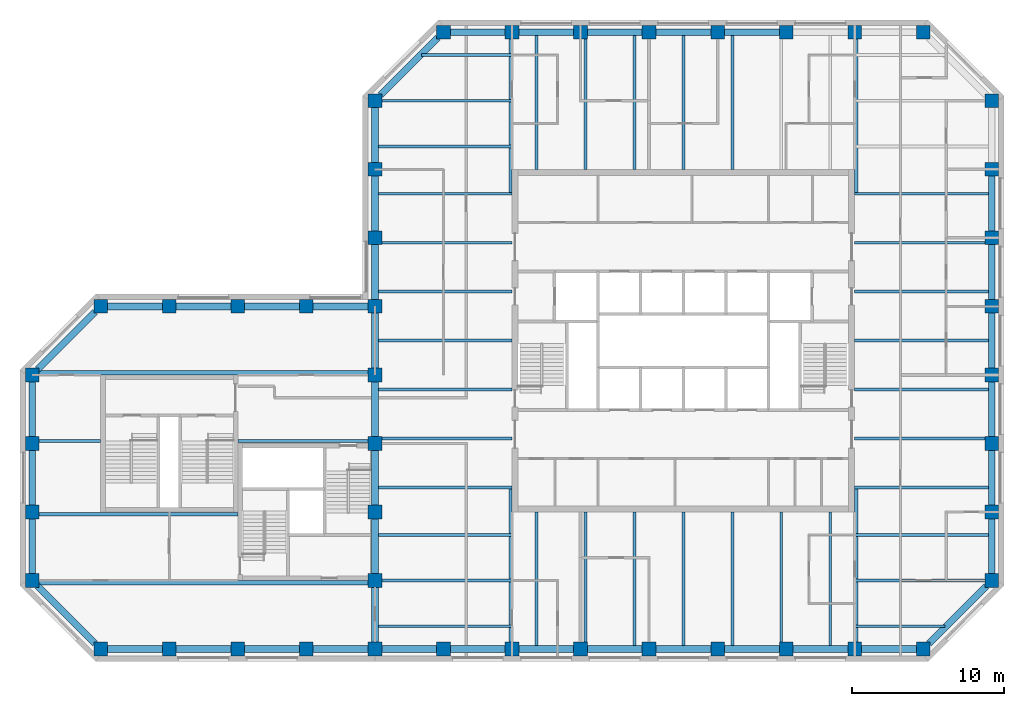
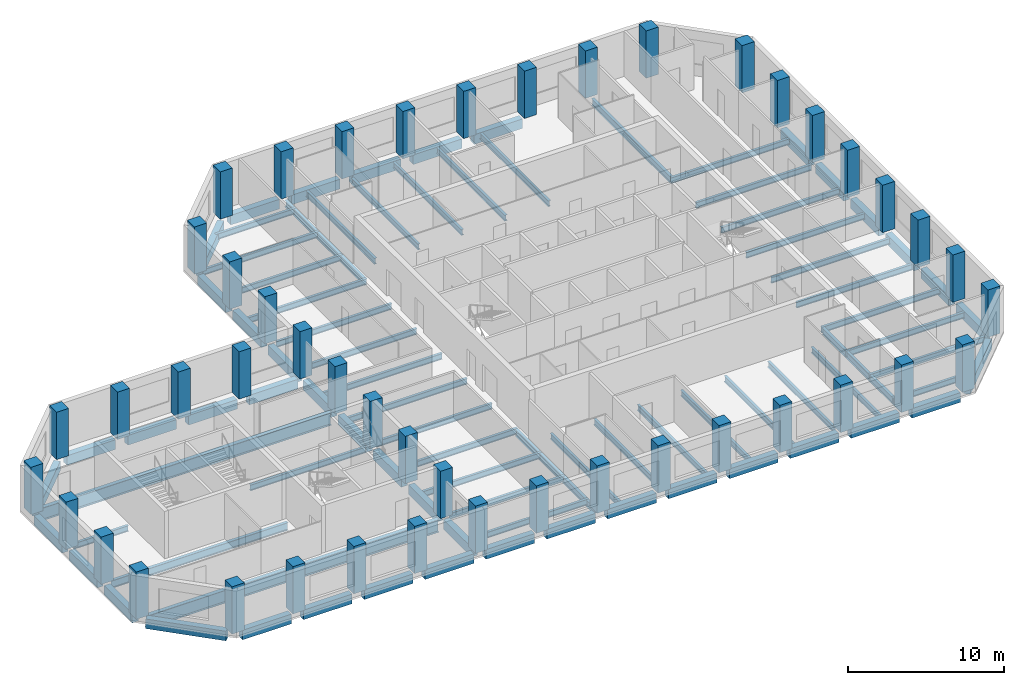
# One storey, part 1 of 9: 86 beams, 45 columns.
"""IFC4 building model written with IfcOpenShell, lengths in metres."""

from ifc_helpers import new_model, si_unit, direction, frame, origin, origin_2d, place, context, subcontext, project, spatial, rectangle, i_section, extrude, material, material_profile, profile_set, type_object, element, save


model = new_model("IFC4")

# Units and contexts
model_context = context("Model", 3, precision=1e-05, world=origin(), true_north=direction((0.0, 1.0)))
body_context = subcontext(model_context, "Body", "Model", "MODEL_VIEW")
ifc_project = project(units=[si_unit("LENGTHUNIT", "METRE"), si_unit("AREAUNIT", "SQUARE_METRE"), si_unit("VOLUMEUNIT", "CUBIC_METRE"), si_unit("PLANEANGLEUNIT", "RADIAN"), si_unit("MASSUNIT", "GRAM", prefix="KILO")], contexts=[model_context])

# Site, building, storey
site_placement = place(None, origin())
site = spatial("IfcSite", under=ifc_project, at=site_placement, CompositionType="ELEMENT")
building_placement = place(site_placement, origin())
building = spatial("IfcBuilding", under=site, at=building_placement, Name="Quoin Convention Tower", CompositionType="ELEMENT")
storey_placement = place(building_placement, frame((0.0, 0.0, 223.0)))
storey = spatial("IfcBuildingStorey", under=building, at=storey_placement, Name="L58", CompositionType="ELEMENT", Elevation=223.0)

# Columns
ifc_material_1 = material(Name="Concrete C50", Category="concrete")
ifc_material_profile_1 = material_profile(ifc_material_1, rectangle(XDim=0.89990234375, YDim=0.89990234375, at=origin_2d()), Name="RC 900x900")
ifc_profile_set_1 = profile_set([ifc_material_profile_1], Name="Concrete C50")
column_type = type_object("IfcColumnType", Name="RC 900x900 C50", PredefinedType="COLUMN", material=ifc_profile_set_1)
for number, where, z_axis, x_axis, name in (
    (1, (18.0, 40.5, 0.0), (0.0, 0.0, 1.0), (1.0, 0.0, 0.0), "col-L58-18000_40500"),
    (2, (22.5, 40.5, 0.0), (0.0, 0.0, 1.0), (1.0, 0.0, 0.0), "col-L58-22500_40500"),
    (3, (27.0, 40.5, 0.0), (0.0, 0.0, 1.0), (1.0, 0.0, 0.0), "col-L58-27000_40500"),
    (4, (31.5, 40.5, 0.0), (0.0, 0.0, 1.0), (1.0, 0.0, 0.0), "col-L58-31500_40500"),
    (5, (36.0, 40.5, 0.0), (0.0, 0.0, 1.0), (1.0, 0.0, 0.0), "col-L58-36000_40500"),
    (6, (40.5, 40.5, 0.0), (0.0, 0.0, 1.0), (1.0, 0.0, 0.0), "col-L58-40500_40500"),
    (7, (45.0, 40.5, 0.0), (0.0, 0.0, 1.0), (1.0, 0.0, 0.0), "col-L58-45000_40500"),
    (8, (49.5, 40.5, 0.0), (0.0, 0.0, 1.0), (1.0, 0.0, 0.0), "col-L58-49500_40500"),
    (9, (54.0, 40.5, 0.0), (0.0, 0.0, 1.0), (1.0, 0.0, 0.0), "col-L58-54000_40500"),
    (10, (58.5, 40.5, 0.0), (0.0, 0.0, 1.0), (1.0, 0.0, 0.0), "col-L58-58500_40500"),
    (11, (63.0, 40.5, 0.0), (0.0, 0.0, 1.0), (1.0, 0.0, 0.0), "col-L58-63000_40500"),
    (12, (67.5, 40.5, 0.0), (0.0, 0.0, 1.0), (1.0, 0.0, 0.0), "col-L58-67500_40500"),
    (13, (72.0, 40.5, 0.0), (0.0, 0.0, 1.0), (1.0, 0.0, 0.0), "col-L58-72000_40500"),
    (14, (13.5, 45.0, 0.0), (0.0, 0.0, 1.0), (1.0, 0.0, 0.0), "col-L58-13500_45000"),
    (15, (36.0, 45.0, 0.0), (0.0, 0.0, 1.0), (1.0, 0.0, 0.0), "web-L58-36000_45000"),
    (16, (76.5, 45.0, 0.0), (0.0, 0.0, 1.0), (1.0, 0.0, 0.0), "col-L58-76500_45000"),
    (17, (13.5, 49.5, 0.0), (0.0, 0.0, 1.0), (1.0, 0.0, 0.0), "col-L58-13500_49500"),
    (18, (36.0, 49.5, 0.0), (0.0, 0.0, 1.0), (1.0, 0.0, 0.0), "web-L58-36000_49500"),
    (19, (76.5, 49.5, 0.0), (0.0, 0.0, 1.0), (1.0, 0.0, 0.0), "col-L58-76500_49500"),
    (20, (13.5, 54.0, 0.0), (0.0, 0.0, 1.0), (1.0, 0.0, 0.0), "col-L58-13500_54000"),
    (21, (36.0, 54.0, 0.0), (0.0, 0.0, 1.0), (1.0, 0.0, 0.0), "web-L58-36000_54000"),
    (22, (76.5, 54.0, 0.0), (0.0, 0.0, 1.0), (1.0, 0.0, 0.0), "col-L58-76500_54000"),
    (23, (13.5, 58.5, 0.0), (0.0, 0.0, 1.0), (1.0, 0.0, 0.0), "col-L58-13500_58500"),
    (24, (36.0, 58.5, 0.0), (0.0, 0.0, 1.0), (1.0, 0.0, 0.0), "web-L58-36000_58500"),
    (25, (76.5, 58.5, 0.0), (0.0, 0.0, 1.0), (1.0, 0.0, 0.0), "col-L58-76500_58500"),
    (26, (18.0, 63.0, 0.0), (0.0, 0.0, 1.0), (1.0, 0.0, 0.0), "col-L58-18000_63000"),
    (27, (22.5, 63.0, 0.0), (0.0, 0.0, 1.0), (1.0, 0.0, 0.0), "col-L58-22500_63000"),
    (28, (27.0, 63.0, 0.0), (0.0, 0.0, 1.0), (1.0, 0.0, 0.0), "col-L58-27000_63000"),
    (29, (31.5, 63.0, 0.0), (0.0, 0.0, 1.0), (1.0, 0.0, 0.0), "col-L58-31500_63000"),
    (30, (36.0, 63.0, 0.0), (0.0, 0.0, 1.0), (1.0, 0.0, 0.0), "col-L58-36000_63000"),
    (31, (76.5, 63.0, 0.0), (0.0, 0.0, 1.0), (1.0, 0.0, 0.0), "col-L58-76500_63000"),
    (32, (36.0, 67.5, 0.0), (0.0, 0.0, 1.0), (1.0, 0.0, 0.0), "col-L58-36000_67500"),
    (33, (76.5, 67.5, 0.0), (0.0, 0.0, 1.0), (1.0, 0.0, 0.0), "col-L58-76500_67500"),
    (34, (36.0, 72.0, 0.0), (0.0, 0.0, 1.0), (1.0, 0.0, 0.0), "col-L58-36000_72000"),
    (35, (76.5, 72.0, 0.0), (0.0, 0.0, 1.0), (1.0, 0.0, 0.0), "col-L58-76500_72000"),
    (36, (36.0, 76.5, 0.0), (0.0, 0.0, 1.0), (1.0, 0.0, 0.0), "col-L58-36000_76500"),
    (37, (76.5, 76.5, 0.0), (0.0, 0.0, 1.0), (1.0, 0.0, 0.0), "col-L58-76500_76500"),
    (38, (40.5, 81.0, 0.0), (0.0, 0.0, 1.0), (1.0, 0.0, 0.0), "col-L58-40500_81000"),
    (39, (45.0, 81.0, 0.0), (0.0, 0.0, 1.0), (1.0, 0.0, 0.0), "col-L58-45000_81000"),
    (40, (49.5, 81.0, 0.0), (0.0, 0.0, 1.0), (1.0, 0.0, 0.0), "col-L58-49500_81000"),
    (41, (54.0, 81.0, 0.0), (0.0, 0.0, 1.0), (1.0, 0.0, 0.0), "col-L58-54000_81000"),
    (42, (58.5, 81.0, 0.0), (0.0, 0.0, 1.0), (1.0, 0.0, 0.0), "col-L58-58500_81000"),
    (43, (63.0, 81.0, 0.0), (0.0, 0.0, 1.0), (1.0, 0.0, 0.0), "col-L58-63000_81000"),
    (44, (67.5, 81.0, 0.0), (0.0, 0.0, 1.0), (1.0, 0.0, 0.0), "col-L58-67500_81000"),
    (45, (72.0, 81.0, 0.0), (0.0, 0.0, 1.0), (1.0, 0.0, 0.0), "col-L58-72000_81000"),
):
    element("IfcColumn", number, at=place(storey_placement, frame(where, z_axis=z_axis, x_axis=x_axis)), inside=storey, type_object=column_type, Name=name, PredefinedType="COLUMN", context=body_context, shape_type="SweptSolid", body=[
        extrude(rectangle(XDim=0.89990234375, YDim=0.89990234375, at=origin_2d()), origin(), (0.0, 0.0, 1.0), 3.699951171875),
    ])

# Beams
ifc_material_2 = material(Name="Steel Grade 300", Category="steel")
ifc_material_profile_2 = material_profile(ifc_material_2, i_section(OverallWidth=0.300048828125, OverallDepth=1.0, WebThickness=0.01611328125, FlangeThickness=0.02001953125, at=origin_2d()), Name="1000WB215")
ifc_profile_set_2 = profile_set([ifc_material_profile_2], Name="Steel Grade 300")
beam_type_1 = type_object("IfcBeamType", Name="1000WB215", PredefinedType="BEAM", material=ifc_profile_set_2)
for number, where, z_axis, x_axis, name in (
    (46, (13.949951171875, 44.85009765625, -0.64990234375), (1.0, 0.0, 0.0), (0.0, 1.0, 0.0), "gir-L58-ST2-1-0"),
    (47, (13.949951171875, 58.64990234375, -0.64990234375), (1.0, 0.0, 0.0), (0.0, 1.0, 0.0), "gir-L58-ST2-4-0"),
):
    element("IfcBeam", number, at=place(storey_placement, frame(where, z_axis=z_axis, x_axis=x_axis)), inside=storey, type_object=beam_type_1, Name=name, PredefinedType="BEAM", context=body_context, shape_type="SweptSolid", body=[
        extrude(i_section(OverallWidth=0.300048828125, OverallDepth=1.0, WebThickness=0.01611328125, FlangeThickness=0.02001953125, at=origin_2d()), origin(), (0.0, 0.0, 1.0), 21.60009765625),
    ])
ifc_material_profile_3 = material_profile(ifc_material_2, i_section(OverallWidth=0.18994140625, OverallDepth=0.4541015625, WebThickness=0.008544921875, FlangeThickness=0.0126953125, FilletRadius=0.011474609375, at=origin_2d()), Name="460UB67.1")
ifc_profile_set_3 = profile_set([ifc_material_profile_3], Name="Steel Grade 300")
beam_type_2 = type_object("IfcBeamType", Name="460UB67.1", PredefinedType="BEAM", material=ifc_profile_set_3)
beam_1_placement = place(storey_placement, frame((36.22509765625, 51.107177734375, -0.376953125), z_axis=(1.0, 0.0, 0.0), x_axis=(0.0, 1.0, 0.0)))
element("IfcBeam", 48, at=beam_1_placement, inside=storey, type_object=beam_type_2, Name="bm-L58-T1W0", PredefinedType="BEAM", context=body_context, shape_type="SweptSolid", body=[
    extrude(i_section(OverallWidth=0.18994140625, OverallDepth=0.4541015625, WebThickness=0.008544921875, FlangeThickness=0.0126953125, FilletRadius=0.011474609375, at=origin_2d()), origin(), (0.0, 0.0, 1.0), 8.77490234375),
])
beam_2_placement = place(storey_placement, frame((36.449951171875, 54.3212890625, -0.376953125), z_axis=(1.0, 0.0, 0.0), x_axis=(0.0, 1.0, 0.0)))
element("IfcBeam", 49, at=beam_2_placement, inside=storey, type_object=beam_type_2, Name="bm-L58-T1W1", PredefinedType="BEAM", context=body_context, shape_type="SweptSolid", body=[
    extrude(i_section(OverallWidth=0.18994140625, OverallDepth=0.4541015625, WebThickness=0.008544921875, FlangeThickness=0.0126953125, FilletRadius=0.011474609375, at=origin_2d()), origin(), (0.0, 0.0, 1.0), 8.550048828125),
])
for number, where, z_axis, x_axis, name in (
    (50, (36.22509765625, 57.53564453125, -0.376953125), (1.0, 0.0, 0.0), (0.0, 1.0, 0.0), "bm-L58-T1W2"),
    (51, (36.22509765625, 60.75, -0.376953125), (1.0, 0.0, 0.0), (0.0, 1.0, 0.0), "bm-L58-T1W3"),
    (52, (36.22509765625, 63.96435546875, -0.376953125), (1.0, 0.0, 0.0), (0.0, 1.0, 0.0), "bm-L58-T1W4"),
):
    element("IfcBeam", number, at=place(storey_placement, frame(where, z_axis=z_axis, x_axis=x_axis)), inside=storey, type_object=beam_type_2, Name=name, PredefinedType="BEAM", context=body_context, shape_type="SweptSolid", body=[
        extrude(i_section(OverallWidth=0.18994140625, OverallDepth=0.4541015625, WebThickness=0.008544921875, FlangeThickness=0.0126953125, FilletRadius=0.011474609375, at=origin_2d()), origin(), (0.0, 0.0, 1.0), 8.77490234375),
    ])
beam_3_placement = place(storey_placement, frame((36.449951171875, 67.1787109375, -0.376953125), z_axis=(1.0, 0.0, 0.0), x_axis=(0.0, 1.0, 0.0)))
element("IfcBeam", 53, at=beam_3_placement, inside=storey, type_object=beam_type_2, Name="bm-L58-T1W5", PredefinedType="BEAM", context=body_context, shape_type="SweptSolid", body=[
    extrude(i_section(OverallWidth=0.18994140625, OverallDepth=0.4541015625, WebThickness=0.008544921875, FlangeThickness=0.0126953125, FilletRadius=0.011474609375, at=origin_2d()), origin(), (0.0, 0.0, 1.0), 8.550048828125),
])
for number, where, z_axis, x_axis, name in (
    (54, (36.22509765625, 70.392822265625, -0.376953125), (1.0, 0.0, 0.0), (0.0, 1.0, 0.0), "bm-L58-T1W6"),
    (55, (67.5, 51.107177734375, -0.376953125), (1.0, 0.0, 0.0), (0.0, 1.0, 0.0), "bm-L58-T1E0"),
):
    element("IfcBeam", number, at=place(storey_placement, frame(where, z_axis=z_axis, x_axis=x_axis)), inside=storey, type_object=beam_type_2, Name=name, PredefinedType="BEAM", context=body_context, shape_type="SweptSolid", body=[
        extrude(i_section(OverallWidth=0.18994140625, OverallDepth=0.4541015625, WebThickness=0.008544921875, FlangeThickness=0.0126953125, FilletRadius=0.011474609375, at=origin_2d()), origin(), (0.0, 0.0, 1.0), 8.77490234375),
    ])
beam_4_placement = place(storey_placement, frame((67.5, 54.3212890625, -0.376953125), z_axis=(1.0, 0.0, 0.0), x_axis=(0.0, 1.0, 0.0)))
element("IfcBeam", 56, at=beam_4_placement, inside=storey, type_object=beam_type_2, Name="bm-L58-T1E1", PredefinedType="BEAM", context=body_context, shape_type="SweptSolid", body=[
    extrude(i_section(OverallWidth=0.18994140625, OverallDepth=0.4541015625, WebThickness=0.008544921875, FlangeThickness=0.0126953125, FilletRadius=0.011474609375, at=origin_2d()), origin(), (0.0, 0.0, 1.0), 8.550048828125),
])
for number, where, z_axis, x_axis, name in (
    (57, (67.5, 57.53564453125, -0.376953125), (1.0, 0.0, 0.0), (0.0, 1.0, 0.0), "bm-L58-T1E2"),
    (58, (67.5, 60.75, -0.376953125), (1.0, 0.0, 0.0), (0.0, 1.0, 0.0), "bm-L58-T1E3"),
    (59, (67.5, 63.96435546875, -0.376953125), (1.0, 0.0, 0.0), (0.0, 1.0, 0.0), "bm-L58-T1E4"),
):
    element("IfcBeam", number, at=place(storey_placement, frame(where, z_axis=z_axis, x_axis=x_axis)), inside=storey, type_object=beam_type_2, Name=name, PredefinedType="BEAM", context=body_context, shape_type="SweptSolid", body=[
        extrude(i_section(OverallWidth=0.18994140625, OverallDepth=0.4541015625, WebThickness=0.008544921875, FlangeThickness=0.0126953125, FilletRadius=0.011474609375, at=origin_2d()), origin(), (0.0, 0.0, 1.0), 8.77490234375),
    ])
beam_5_placement = place(storey_placement, frame((67.5, 67.1787109375, -0.376953125), z_axis=(1.0, 0.0, 0.0), x_axis=(0.0, 1.0, 0.0)))
element("IfcBeam", 60, at=beam_5_placement, inside=storey, type_object=beam_type_2, Name="bm-L58-T1E5", PredefinedType="BEAM", context=body_context, shape_type="SweptSolid", body=[
    extrude(i_section(OverallWidth=0.18994140625, OverallDepth=0.4541015625, WebThickness=0.008544921875, FlangeThickness=0.0126953125, FilletRadius=0.011474609375, at=origin_2d()), origin(), (0.0, 0.0, 1.0), 8.550048828125),
])
for number, where, z_axis, x_axis, name in (
    (61, (67.5, 70.392822265625, -0.376953125), (1.0, 0.0, 0.0), (0.0, 1.0, 0.0), "bm-L58-T1E6"),
    (62, (46.607177734375, 40.72509765625, -0.376953125), (0.0, 1.0, 0.0), (-1.0, 0.0, 0.0), "bm-L58-T1S0"),
):
    element("IfcBeam", number, at=place(storey_placement, frame(where, z_axis=z_axis, x_axis=x_axis)), inside=storey, type_object=beam_type_2, Name=name, PredefinedType="BEAM", context=body_context, shape_type="SweptSolid", body=[
        extrude(i_section(OverallWidth=0.18994140625, OverallDepth=0.4541015625, WebThickness=0.008544921875, FlangeThickness=0.0126953125, FilletRadius=0.011474609375, at=origin_2d()), origin(), (0.0, 0.0, 1.0), 8.77490234375),
    ])
beam_6_placement = place(storey_placement, frame((49.8212890625, 40.949951171875, -0.376953125), z_axis=(0.0, 1.0, 0.0), x_axis=(-1.0, 0.0, 0.0)))
element("IfcBeam", 63, at=beam_6_placement, inside=storey, type_object=beam_type_2, Name="bm-L58-T1S1", PredefinedType="BEAM", context=body_context, shape_type="SweptSolid", body=[
    extrude(i_section(OverallWidth=0.18994140625, OverallDepth=0.4541015625, WebThickness=0.008544921875, FlangeThickness=0.0126953125, FilletRadius=0.011474609375, at=origin_2d()), origin(), (0.0, 0.0, 1.0), 8.550048828125),
])
for number, where, z_axis, x_axis, name in (
    (64, (53.03564453125, 40.72509765625, -0.376953125), (0.0, 1.0, 0.0), (-1.0, 0.0, 0.0), "bm-L58-T1S2"),
    (65, (56.25, 40.72509765625, -0.376953125), (0.0, 1.0, 0.0), (-1.0, 0.0, 0.0), "bm-L58-T1S3"),
    (66, (59.46435546875, 40.72509765625, -0.376953125), (0.0, 1.0, 0.0), (-1.0, 0.0, 0.0), "bm-L58-T1S4"),
):
    element("IfcBeam", number, at=place(storey_placement, frame(where, z_axis=z_axis, x_axis=x_axis)), inside=storey, type_object=beam_type_2, Name=name, PredefinedType="BEAM", context=body_context, shape_type="SweptSolid", body=[
        extrude(i_section(OverallWidth=0.18994140625, OverallDepth=0.4541015625, WebThickness=0.008544921875, FlangeThickness=0.0126953125, FilletRadius=0.011474609375, at=origin_2d()), origin(), (0.0, 0.0, 1.0), 8.77490234375),
    ])
beam_7_placement = place(storey_placement, frame((62.6787109375, 40.949951171875, -0.376953125), z_axis=(0.0, 1.0, 0.0), x_axis=(-1.0, 0.0, 0.0)))
element("IfcBeam", 67, at=beam_7_placement, inside=storey, type_object=beam_type_2, Name="bm-L58-T1S5", PredefinedType="BEAM", context=body_context, shape_type="SweptSolid", body=[
    extrude(i_section(OverallWidth=0.18994140625, OverallDepth=0.4541015625, WebThickness=0.008544921875, FlangeThickness=0.0126953125, FilletRadius=0.011474609375, at=origin_2d()), origin(), (0.0, 0.0, 1.0), 8.550048828125),
])
for number, where, z_axis, x_axis, name in (
    (68, (65.892822265625, 40.72509765625, -0.376953125), (0.0, 1.0, 0.0), (-1.0, 0.0, 0.0), "bm-L58-T1S6"),
    (69, (46.607177734375, 72.0, -0.376953125), (0.0, 1.0, 0.0), (-1.0, 0.0, 0.0), "bm-L58-T1N0"),
):
    element("IfcBeam", number, at=place(storey_placement, frame(where, z_axis=z_axis, x_axis=x_axis)), inside=storey, type_object=beam_type_2, Name=name, PredefinedType="BEAM", context=body_context, shape_type="SweptSolid", body=[
        extrude(i_section(OverallWidth=0.18994140625, OverallDepth=0.4541015625, WebThickness=0.008544921875, FlangeThickness=0.0126953125, FilletRadius=0.011474609375, at=origin_2d()), origin(), (0.0, 0.0, 1.0), 8.77490234375),
    ])
beam_8_placement = place(storey_placement, frame((49.8212890625, 72.0, -0.376953125), z_axis=(0.0, 1.0, 0.0), x_axis=(-1.0, 0.0, 0.0)))
element("IfcBeam", 70, at=beam_8_placement, inside=storey, type_object=beam_type_2, Name="bm-L58-T1N1", PredefinedType="BEAM", context=body_context, shape_type="SweptSolid", body=[
    extrude(i_section(OverallWidth=0.18994140625, OverallDepth=0.4541015625, WebThickness=0.008544921875, FlangeThickness=0.0126953125, FilletRadius=0.011474609375, at=origin_2d()), origin(), (0.0, 0.0, 1.0), 8.550048828125),
])
for number, where, z_axis, x_axis, name in (
    (71, (53.03564453125, 72.0, -0.376953125), (0.0, 1.0, 0.0), (-1.0, 0.0, 0.0), "bm-L58-T1N2"),
    (72, (56.25, 72.0, -0.376953125), (0.0, 1.0, 0.0), (-1.0, 0.0, 0.0), "bm-L58-T1N3"),
    (73, (59.46435546875, 72.0, -0.376953125), (0.0, 1.0, 0.0), (-1.0, 0.0, 0.0), "bm-L58-T1N4"),
    (74, (36.22509765625, 42.0, -0.376953125), (1.0, 0.0, 0.0), (0.0, 1.0, 0.0), "bm-L58-T1SW0"),
):
    element("IfcBeam", number, at=place(storey_placement, frame(where, z_axis=z_axis, x_axis=x_axis)), inside=storey, type_object=beam_type_2, Name=name, PredefinedType="BEAM", context=body_context, shape_type="SweptSolid", body=[
        extrude(i_section(OverallWidth=0.18994140625, OverallDepth=0.4541015625, WebThickness=0.008544921875, FlangeThickness=0.0126953125, FilletRadius=0.011474609375, at=origin_2d()), origin(), (0.0, 0.0, 1.0), 8.77490234375),
    ])
beam_9_placement = place(storey_placement, frame((36.449951171875, 45.0, -0.376953125), z_axis=(1.0, 0.0, 0.0), x_axis=(0.0, 1.0, 0.0)))
element("IfcBeam", 75, at=beam_9_placement, inside=storey, type_object=beam_type_2, Name="bm-L58-T1SW1", PredefinedType="BEAM", context=body_context, shape_type="SweptSolid", body=[
    extrude(i_section(OverallWidth=0.18994140625, OverallDepth=0.4541015625, WebThickness=0.008544921875, FlangeThickness=0.0126953125, FilletRadius=0.011474609375, at=origin_2d()), origin(), (0.0, 0.0, 1.0), 8.550048828125),
])
beam_10_placement = place(storey_placement, frame((36.22509765625, 48.0, -0.376953125), z_axis=(1.0, 0.0, 0.0), x_axis=(0.0, 1.0, 0.0)))
element("IfcBeam", 76, at=beam_10_placement, inside=storey, type_object=beam_type_2, Name="bm-L58-T1SW2", PredefinedType="BEAM", context=body_context, shape_type="SweptSolid", body=[
    extrude(i_section(OverallWidth=0.18994140625, OverallDepth=0.4541015625, WebThickness=0.008544921875, FlangeThickness=0.0126953125, FilletRadius=0.011474609375, at=origin_2d()), origin(), (0.0, 0.0, 1.0), 8.77490234375),
])
beam_11_placement = place(storey_placement, frame((67.5, 42.0, -0.376953125), z_axis=(1.0, 0.0, 0.0), x_axis=(0.0, 1.0, 0.0)))
element("IfcBeam", 77, at=beam_11_placement, inside=storey, type_object=beam_type_2, Name="bm-L58-T1SE0", PredefinedType="BEAM", context=body_context, shape_type="SweptSolid", body=[
    extrude(i_section(OverallWidth=0.18994140625, OverallDepth=0.4541015625, WebThickness=0.008544921875, FlangeThickness=0.0126953125, FilletRadius=0.011474609375, at=origin_2d()), origin(), (0.0, 0.0, 1.0), 5.935791015625),
])
beam_12_placement = place(storey_placement, frame((67.5, 45.0, -0.376953125), z_axis=(1.0, 0.0, 0.0), x_axis=(0.0, 1.0, 0.0)))
element("IfcBeam", 78, at=beam_12_placement, inside=storey, type_object=beam_type_2, Name="bm-L58-T1SE1", PredefinedType="BEAM", context=body_context, shape_type="SweptSolid", body=[
    extrude(i_section(OverallWidth=0.18994140625, OverallDepth=0.4541015625, WebThickness=0.008544921875, FlangeThickness=0.0126953125, FilletRadius=0.011474609375, at=origin_2d()), origin(), (0.0, 0.0, 1.0), 8.550048828125),
])
beam_13_placement = place(storey_placement, frame((67.5, 48.0, -0.376953125), z_axis=(1.0, 0.0, 0.0), x_axis=(0.0, 1.0, 0.0)))
element("IfcBeam", 79, at=beam_13_placement, inside=storey, type_object=beam_type_2, Name="bm-L58-T1SE2", PredefinedType="BEAM", context=body_context, shape_type="SweptSolid", body=[
    extrude(i_section(OverallWidth=0.18994140625, OverallDepth=0.4541015625, WebThickness=0.008544921875, FlangeThickness=0.0126953125, FilletRadius=0.011474609375, at=origin_2d()), origin(), (0.0, 0.0, 1.0), 8.77490234375),
])
beam_14_placement = place(storey_placement, frame((39.064208984375, 79.5, -0.376953125), z_axis=(1.0, 0.0, 0.0), x_axis=(0.0, 1.0, 0.0)))
element("IfcBeam", 80, at=beam_14_placement, inside=storey, type_object=beam_type_2, Name="bm-L58-T1NW0", PredefinedType="BEAM", context=body_context, shape_type="SweptSolid", body=[
    extrude(i_section(OverallWidth=0.18994140625, OverallDepth=0.4541015625, WebThickness=0.008544921875, FlangeThickness=0.0126953125, FilletRadius=0.011474609375, at=origin_2d()), origin(), (0.0, 0.0, 1.0), 5.935791015625),
])
beam_15_placement = place(storey_placement, frame((36.449951171875, 76.5, -0.376953125), z_axis=(1.0, 0.0, 0.0), x_axis=(0.0, 1.0, 0.0)))
element("IfcBeam", 81, at=beam_15_placement, inside=storey, type_object=beam_type_2, Name="bm-L58-T1NW1", PredefinedType="BEAM", context=body_context, shape_type="SweptSolid", body=[
    extrude(i_section(OverallWidth=0.18994140625, OverallDepth=0.4541015625, WebThickness=0.008544921875, FlangeThickness=0.0126953125, FilletRadius=0.011474609375, at=origin_2d()), origin(), (0.0, 0.0, 1.0), 8.550048828125),
])
beam_16_placement = place(storey_placement, frame((36.22509765625, 73.5, -0.376953125), z_axis=(1.0, 0.0, 0.0), x_axis=(0.0, 1.0, 0.0)))
element("IfcBeam", 82, at=beam_16_placement, inside=storey, type_object=beam_type_2, Name="bm-L58-T1NW2", PredefinedType="BEAM", context=body_context, shape_type="SweptSolid", body=[
    extrude(i_section(OverallWidth=0.18994140625, OverallDepth=0.4541015625, WebThickness=0.008544921875, FlangeThickness=0.0126953125, FilletRadius=0.011474609375, at=origin_2d()), origin(), (0.0, 0.0, 1.0), 8.77490234375),
])
beam_17_placement = place(storey_placement, frame((13.949951171875, 54.14990234375, -0.376953125), z_axis=(1.0, 0.0, 0.0), x_axis=(0.0, 1.0, 0.0)))
element("IfcBeam", 83, at=beam_17_placement, inside=storey, type_object=beam_type_2, Name="gir-L58-ST2-3-0", PredefinedType="BEAM", context=body_context, shape_type="SweptSolid", body=[
    extrude(i_section(OverallWidth=0.18994140625, OverallDepth=0.4541015625, WebThickness=0.008544921875, FlangeThickness=0.0126953125, FilletRadius=0.011474609375, at=origin_2d()), origin(), (0.0, 0.0, 1.0), 4.050048828125),
])
beam_18_placement = place(storey_placement, frame((27.0, 54.14990234375, -0.376953125), z_axis=(1.0, 0.0, 0.0), x_axis=(0.0, 1.0, 0.0)))
element("IfcBeam", 84, at=beam_18_placement, inside=storey, type_object=beam_type_2, Name="gir-L58-ST2-3-1", PredefinedType="BEAM", context=body_context, shape_type="SweptSolid", body=[
    extrude(i_section(OverallWidth=0.18994140625, OverallDepth=0.4541015625, WebThickness=0.008544921875, FlangeThickness=0.0126953125, FilletRadius=0.011474609375, at=origin_2d()), origin(), (0.0, 0.0, 1.0), 8.550048828125),
])
ifc_material_profile_4 = material_profile(ifc_material_2, i_section(OverallWidth=0.208984375, OverallDepth=0.528076171875, WebThickness=0.009521484375, FlangeThickness=0.01318359375, FilletRadius=0.013916015625, at=origin_2d()), Name="530UB82.0")
ifc_profile_set_4 = profile_set([ifc_material_profile_4], Name="Steel Grade 300")
beam_type_3 = type_object("IfcBeamType", Name="530UB82.0", PredefinedType="BEAM", material=ifc_profile_set_4)
for number, where, z_axis, x_axis, name in (
    (85, (44.904541015625, 40.949951171875, -0.4140625), (0.0, 1.0, 0.0), (-1.0, 0.0, 0.0), "gir-L58-T1SW"),
    (86, (67.595458984375, 40.949951171875, -0.4140625), (0.0, 1.0, 0.0), (-1.0, 0.0, 0.0), "gir-L58-T1SE"),
    (87, (44.904541015625, 80.550048828125, -0.4140625), (0.0, -1.0, 0.0), (1.0, 0.0, 0.0), "gir-L58-T1NW"),
    (88, (67.595458984375, 80.550048828125, -0.4140625), (0.0, -1.0, 0.0), (1.0, 0.0, 0.0), "gir-L58-T1NE"),
):
    element("IfcBeam", number, at=place(storey_placement, frame(where, z_axis=z_axis, x_axis=x_axis)), inside=storey, type_object=beam_type_3, Name=name, PredefinedType="BEAM", context=body_context, shape_type="SweptSolid", body=[
        extrude(i_section(OverallWidth=0.208984375, OverallDepth=0.528076171875, WebThickness=0.009521484375, FlangeThickness=0.01318359375, FilletRadius=0.013916015625, at=origin_2d()), origin(), (0.0, 0.0, 1.0), 10.062255859375),
    ])
ifc_material_profile_5 = material_profile(ifc_material_2, i_section(OverallWidth=0.22802734375, OverallDepth=0.60205078125, WebThickness=0.010498046875, FlangeThickness=0.014892578125, FilletRadius=0.013916015625, at=origin_2d()), Name="610UB101")
ifc_profile_set_5 = profile_set([ifc_material_profile_5], Name="Steel Grade 300")
beam_type_4 = type_object("IfcBeamType", Name="610UB101", PredefinedType="BEAM", material=ifc_profile_set_5)
beam_19_placement = place(storey_placement, frame((13.949951171875, 49.35009765625, -0.450927734375), z_axis=(1.0, 0.0, 0.0), x_axis=(0.0, 1.0, 0.0)))
element("IfcBeam", 89, at=beam_19_placement, inside=storey, type_object=beam_type_4, Name="gir-L58-ST2-2-0", PredefinedType="BEAM", context=body_context, shape_type="SweptSolid", body=[
    extrude(i_section(OverallWidth=0.22802734375, OverallDepth=0.60205078125, WebThickness=0.010498046875, FlangeThickness=0.014892578125, FilletRadius=0.013916015625, at=origin_2d()), origin(), (0.0, 0.0, 1.0), 13.050048828125),
])
ifc_material_profile_6 = material_profile(ifc_material_1, rectangle(XDim=0.449951171875, YDim=0.75, at=origin_2d()), Name="RC 450x750")
ifc_profile_set_6 = profile_set([ifc_material_profile_6], Name="Concrete C50")
beam_type_5 = type_object("IfcBeamType", Name="RC 450x750 C50", PredefinedType="SPANDREL", material=ifc_profile_set_6)
for number, where, z_axis, x_axis, name in (
    (90, (36.449951171875, 40.5, -0.52490234375), (1.0, 0.0, 0.0), (0.0, 1.0, 0.0), "spd-L58-36000_40500-40500_40500"),
    (91, (40.949951171875, 40.5, -0.52490234375), (1.0, 0.0, 0.0), (0.0, 1.0, 0.0), "spd-L58-40500_40500-45000_40500"),
    (92, (45.449951171875, 40.5, -0.52490234375), (1.0, 0.0, 0.0), (0.0, 1.0, 0.0), "spd-L58-45000_40500-49500_40500"),
    (93, (49.949951171875, 40.5, -0.52490234375), (1.0, 0.0, 0.0), (0.0, 1.0, 0.0), "spd-L58-49500_40500-54000_40500"),
    (94, (54.449951171875, 40.5, -0.52490234375), (1.0, 0.0, 0.0), (0.0, 1.0, 0.0), "spd-L58-54000_40500-58500_40500"),
    (95, (58.949951171875, 40.5, -0.52490234375), (1.0, 0.0, 0.0), (0.0, 1.0, 0.0), "spd-L58-58500_40500-63000_40500"),
    (96, (63.449951171875, 40.5, -0.52490234375), (1.0, 0.0, 0.0), (0.0, 1.0, 0.0), "spd-L58-63000_40500-67500_40500"),
    (97, (67.949951171875, 40.5, -0.52490234375), (1.0, 0.0, 0.0), (0.0, 1.0, 0.0), "spd-L58-67500_40500-72000_40500"),
):
    element("IfcBeam", number, at=place(storey_placement, frame(where, z_axis=z_axis, x_axis=x_axis)), inside=storey, type_object=beam_type_5, Name=name, PredefinedType="SPANDREL", context=body_context, shape_type="SweptSolid", body=[
        extrude(rectangle(XDim=0.449951171875, YDim=0.75, at=origin_2d()), origin(), (0.0, 0.0, 1.0), 3.60009765625),
    ])
beam_20_placement = place(storey_placement, frame((72.364990234375, 40.864990234375, -0.52490234375), z_axis=(0.707106781187, 0.707106781187, 0.0), x_axis=(-0.707106781187, 0.707106781187, 0.0)))
element("IfcBeam", 98, at=beam_20_placement, inside=storey, type_object=beam_type_5, Name="spd-L58-72000_40500-76500_45000", PredefinedType="SPANDREL", context=body_context, shape_type="SweptSolid", body=[
    extrude(rectangle(XDim=0.449951171875, YDim=0.75, at=origin_2d()), origin(), (0.0, 0.0, 1.0), 5.33154296875),
])
for number, where, z_axis, x_axis, name in (
    (99, (76.5, 45.449951171875, -0.52490234375), (0.0, 1.0, 0.0), (-1.0, 0.0, 0.0), "spd-L58-76500_45000-76500_49500"),
    (100, (76.5, 49.949951171875, -0.52490234375), (0.0, 1.0, 0.0), (-1.0, 0.0, 0.0), "spd-L58-76500_49500-76500_54000"),
    (101, (76.5, 54.449951171875, -0.52490234375), (0.0, 1.0, 0.0), (-1.0, 0.0, 0.0), "spd-L58-76500_54000-76500_58500"),
    (102, (76.5, 58.949951171875, -0.52490234375), (0.0, 1.0, 0.0), (-1.0, 0.0, 0.0), "spd-L58-76500_58500-76500_63000"),
    (103, (76.5, 63.449951171875, -0.52490234375), (0.0, 1.0, 0.0), (-1.0, 0.0, 0.0), "spd-L58-76500_63000-76500_67500"),
    (104, (76.5, 67.949951171875, -0.52490234375), (0.0, 1.0, 0.0), (-1.0, 0.0, 0.0), "spd-L58-76500_67500-76500_72000"),
    (105, (62.550048828125, 81.0, -0.52490234375), (-1.0, 0.0, 0.0), (0.0, -1.0, 0.0), "spd-L58-63000_81000-58500_81000"),
    (106, (58.050048828125, 81.0, -0.52490234375), (-1.0, 0.0, 0.0), (0.0, -1.0, 0.0), "spd-L58-58500_81000-54000_81000"),
    (107, (53.550048828125, 81.0, -0.52490234375), (-1.0, 0.0, 0.0), (0.0, -1.0, 0.0), "spd-L58-54000_81000-49500_81000"),
    (108, (49.050048828125, 81.0, -0.52490234375), (-1.0, 0.0, 0.0), (0.0, -1.0, 0.0), "spd-L58-49500_81000-45000_81000"),
    (109, (44.550048828125, 81.0, -0.52490234375), (-1.0, 0.0, 0.0), (0.0, -1.0, 0.0), "spd-L58-45000_81000-40500_81000"),
):
    element("IfcBeam", number, at=place(storey_placement, frame(where, z_axis=z_axis, x_axis=x_axis)), inside=storey, type_object=beam_type_5, Name=name, PredefinedType="SPANDREL", context=body_context, shape_type="SweptSolid", body=[
        extrude(rectangle(XDim=0.449951171875, YDim=0.75, at=origin_2d()), origin(), (0.0, 0.0, 1.0), 3.60009765625),
    ])
beam_21_placement = place(storey_placement, frame((40.135009765625, 80.635009765625, -0.52490234375), z_axis=(-0.707106781187, -0.707106781187, 0.0), x_axis=(0.707106781187, -0.707106781187, 0.0)))
element("IfcBeam", 110, at=beam_21_placement, inside=storey, type_object=beam_type_5, Name="spd-L58-40500_81000-36000_76500", PredefinedType="SPANDREL", context=body_context, shape_type="SweptSolid", body=[
    extrude(rectangle(XDim=0.449951171875, YDim=0.75, at=origin_2d()), origin(), (0.0, 0.0, 1.0), 5.33154296875),
])
for number, where, z_axis, x_axis, name in (
    (111, (36.0, 76.050048828125, -0.52490234375), (0.0, -1.0, 0.0), (1.0, 0.0, 0.0), "spd-L58-36000_76500-36000_72000"),
    (112, (36.0, 71.550048828125, -0.52490234375), (0.0, -1.0, 0.0), (1.0, 0.0, 0.0), "spd-L58-36000_72000-36000_67500"),
    (113, (36.0, 67.050048828125, -0.52490234375), (0.0, -1.0, 0.0), (1.0, 0.0, 0.0), "spd-L58-36000_67500-36000_63000"),
    (114, (35.550048828125, 63.0, -0.52490234375), (-1.0, 0.0, 0.0), (0.0, -1.0, 0.0), "spd-L58-36000_63000-31500_63000"),
    (115, (31.050048828125, 63.0, -0.52490234375), (-1.0, 0.0, 0.0), (0.0, -1.0, 0.0), "spd-L58-31500_63000-27000_63000"),
    (116, (26.550048828125, 63.0, -0.52490234375), (-1.0, 0.0, 0.0), (0.0, -1.0, 0.0), "spd-L58-27000_63000-22500_63000"),
    (117, (22.050048828125, 63.0, -0.52490234375), (-1.0, 0.0, 0.0), (0.0, -1.0, 0.0), "spd-L58-22500_63000-18000_63000"),
):
    element("IfcBeam", number, at=place(storey_placement, frame(where, z_axis=z_axis, x_axis=x_axis)), inside=storey, type_object=beam_type_5, Name=name, PredefinedType="SPANDREL", context=body_context, shape_type="SweptSolid", body=[
        extrude(rectangle(XDim=0.449951171875, YDim=0.75, at=origin_2d()), origin(), (0.0, 0.0, 1.0), 3.60009765625),
    ])
beam_22_placement = place(storey_placement, frame((17.635009765625, 62.635009765625, -0.52490234375), z_axis=(-0.707106781187, -0.707106781187, 0.0), x_axis=(0.707106781187, -0.707106781187, 0.0)))
element("IfcBeam", 118, at=beam_22_placement, inside=storey, type_object=beam_type_5, Name="spd-L58-18000_63000-13500_58500", PredefinedType="SPANDREL", context=body_context, shape_type="SweptSolid", body=[
    extrude(rectangle(XDim=0.449951171875, YDim=0.75, at=origin_2d()), origin(), (0.0, 0.0, 1.0), 5.33154296875),
])
for number, where, z_axis, x_axis, name in (
    (119, (13.5, 58.050048828125, -0.52490234375), (0.0, -1.0, 0.0), (1.0, 0.0, 0.0), "spd-L58-13500_58500-13500_54000"),
    (120, (13.5, 53.550048828125, -0.52490234375), (0.0, -1.0, 0.0), (1.0, 0.0, 0.0), "spd-L58-13500_54000-13500_49500"),
    (121, (13.5, 49.050048828125, -0.52490234375), (0.0, -1.0, 0.0), (1.0, 0.0, 0.0), "spd-L58-13500_49500-13500_45000"),
):
    element("IfcBeam", number, at=place(storey_placement, frame(where, z_axis=z_axis, x_axis=x_axis)), inside=storey, type_object=beam_type_5, Name=name, PredefinedType="SPANDREL", context=body_context, shape_type="SweptSolid", body=[
        extrude(rectangle(XDim=0.449951171875, YDim=0.75, at=origin_2d()), origin(), (0.0, 0.0, 1.0), 3.60009765625),
    ])
beam_23_placement = place(storey_placement, frame((13.864990234375, 44.635009765625, -0.52490234375), z_axis=(0.707106781187, -0.707106781187, 0.0), x_axis=(0.707106781187, 0.707106781187, 0.0)))
element("IfcBeam", 122, at=beam_23_placement, inside=storey, type_object=beam_type_5, Name="spd-L58-13500_45000-18000_40500", PredefinedType="SPANDREL", context=body_context, shape_type="SweptSolid", body=[
    extrude(rectangle(XDim=0.449951171875, YDim=0.75, at=origin_2d()), origin(), (0.0, 0.0, 1.0), 5.33154296875),
])
for number, where, z_axis, x_axis, name in (
    (123, (18.449951171875, 40.5, -0.52490234375), (1.0, 0.0, 0.0), (0.0, 1.0, 0.0), "spd-L58-18000_40500-22500_40500"),
    (124, (22.949951171875, 40.5, -0.52490234375), (1.0, 0.0, 0.0), (0.0, 1.0, 0.0), "spd-L58-22500_40500-27000_40500"),
    (125, (27.449951171875, 40.5, -0.52490234375), (1.0, 0.0, 0.0), (0.0, 1.0, 0.0), "spd-L58-27000_40500-31500_40500"),
    (126, (31.949951171875, 40.5, -0.52490234375), (1.0, 0.0, 0.0), (0.0, 1.0, 0.0), "spd-L58-31500_40500-36000_40500"),
    (127, (36.0, 40.949951171875, -0.52490234375), (0.0, 1.0, 0.0), (-1.0, 0.0, 0.0), "spd-L58-36000_40500-36000_45000"),
    (128, (36.0, 45.449951171875, -0.52490234375), (0.0, 1.0, 0.0), (-1.0, 0.0, 0.0), "spd-L58-36000_45000-36000_49500"),
    (129, (36.0, 49.949951171875, -0.52490234375), (0.0, 1.0, 0.0), (-1.0, 0.0, 0.0), "spd-L58-36000_49500-36000_54000"),
    (130, (36.0, 54.449951171875, -0.52490234375), (0.0, 1.0, 0.0), (-1.0, 0.0, 0.0), "spd-L58-36000_54000-36000_58500"),
    (131, (36.0, 58.949951171875, -0.52490234375), (0.0, 1.0, 0.0), (-1.0, 0.0, 0.0), "spd-L58-36000_58500-36000_63000"),
):
    element("IfcBeam", number, at=place(storey_placement, frame(where, z_axis=z_axis, x_axis=x_axis)), inside=storey, type_object=beam_type_5, Name=name, PredefinedType="SPANDREL", context=body_context, shape_type="SweptSolid", body=[
        extrude(rectangle(XDim=0.449951171875, YDim=0.75, at=origin_2d()), origin(), (0.0, 0.0, 1.0), 3.60009765625),
    ])

save(model, "model.ifc")
